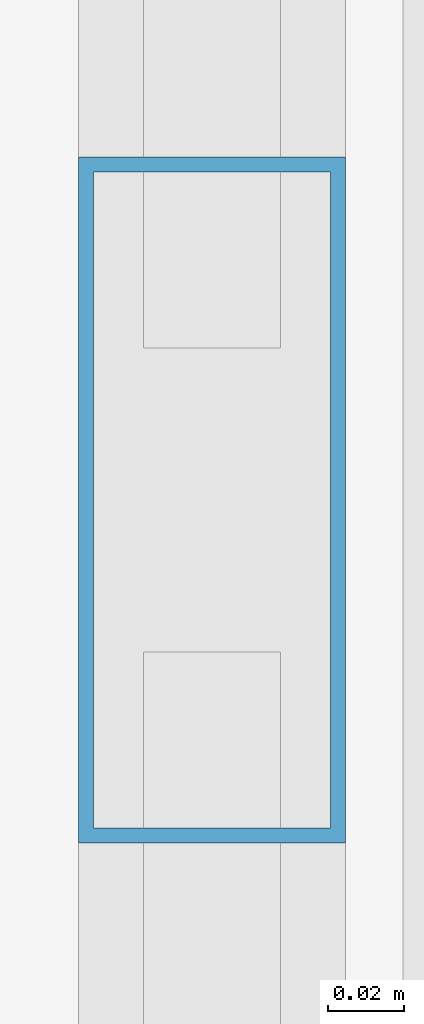
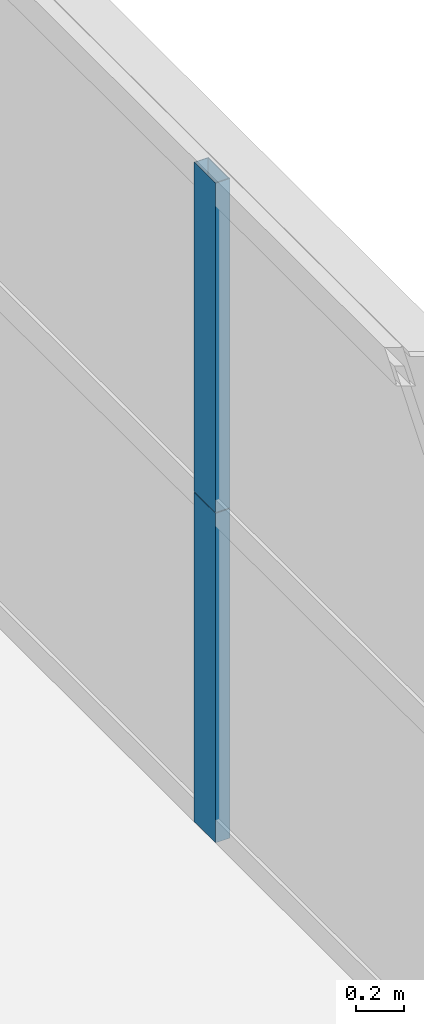
# One storey, part 19 of 43: 2 members, 1 element without a shape of its own.
"""IFC4 building model written with IfcOpenShell, lengths in metres."""

from ifc_helpers import new_model, si_unit, direction, frame, origin, origin_2d, place, context, subcontext, project, spatial, hollow_rectangle, extrude, source, transform, mapped, material, layer, layer_set, material_profile, profile_set, type_object, element, aggregate, save


model = new_model("IFC4")

# Units and contexts
model_context = context("Model", 3, precision=1e-05, world=origin(), true_north=direction((0.0, 1.0)))
body_context = subcontext(model_context, "Body", "Model", "MODEL_VIEW")
ifc_project = project(units=[si_unit("LENGTHUNIT", "METRE"), si_unit("AREAUNIT", "SQUARE_METRE"), si_unit("VOLUMEUNIT", "CUBIC_METRE"), si_unit("PLANEANGLEUNIT", "RADIAN"), si_unit("MASSUNIT", "GRAM", prefix="KILO"), si_unit("THERMODYNAMICTEMPERATUREUNIT", "KELVIN"), si_unit("POWERUNIT", "WATT")], contexts=[model_context])

# Site, building, storey
site_placement = place(None, origin())
site = spatial("IfcSite", under=ifc_project, at=site_placement, CompositionType="ELEMENT")
building_placement = place(site_placement, origin())
building = spatial("IfcBuilding", under=site, at=building_placement, Name="Yuzanri Waterfront Tower", CompositionType="ELEMENT")
storey_placement = place(building_placement, frame((0.0, 0.0, 53.199951171875)))
storey = spatial("IfcBuildingStorey", under=building, at=storey_placement, Name="L13", CompositionType="ELEMENT", Elevation=53.199951171875)

# Curtain wall, members
ifc_material_1 = material(Name="Anodized Architectural Bronze", Category="metal")
ifc_layer = layer(ifc_material_1, 0.159912109375)
ifc_layer_set = layer_set([ifc_layer], Name="Anodized Architectural Bronze")
curtain_wall_type = type_object("IfcCurtainWallType", Name="Anodized Bronze Hotel Lower-Tier Recessed Unitized Curtain Wall 8100", PredefinedType="NOTDEFINED", material=ifc_layer_set)
curtain_wall_placement = place(storey_placement, origin())
curtain_wall = element("IfcCurtainWall", 1, at=curtain_wall_placement, inside=storey, type_object=curtain_wall_type, Name="L13 Curtain Wall CW-L13-EL", PredefinedType="NOTDEFINED")
ifc_material_2 = material(Name="Anodized Architectural Bronze", Category="metal")
ifc_material_profile = material_profile(ifc_material_2, hollow_rectangle(XDim=0.070068359375, YDim=0.179931640625, WallThickness=0.00390625, at=origin_2d()), Name="CWM 70x180")
ifc_profile_set = profile_set([ifc_material_profile], Name="Anodized Architectural Bronze")
member_type = type_object("IfcMemberType", Name="Anodized Bronze Standard Curtain-Wall Mullion 70x180", PredefinedType="MULLION", material=ifc_profile_set)
shared_shape = source(origin(), body_context, "Body", "SweptSolid", [
    extrude(hollow_rectangle(XDim=0.070068359375, YDim=0.179931640625, WallThickness=0.00390625, at=origin_2d()), origin(), (0.0, 0.0, 1.0), 1.68798828125),
])
member_1_placement = place(storey_placement, frame((61.949951171875, 16.699951171875, 0.0), z_axis=(0.0, 0.0, 1.0), x_axis=(1.0, 0.0, 0.0)))
member_1 = element("IfcMember", 2, at=member_1_placement, type_object=member_type, Name="CW-L13-EL Lower Mullion 01", PredefinedType="MULLION", context=body_context, shape_type="MappedRepresentation", body=[
    mapped(shared_shape, transform((0.0, 0.0, 0.0), scale=1.0)),
])
member_2_placement = place(storey_placement, frame((61.949951171875, 16.699951171875, 1.692138671875), z_axis=(0.0, 0.0, 1.0), x_axis=(1.0, 0.0, 0.0)))
member_2 = element("IfcMember", 3, at=member_2_placement, type_object=member_type, Name="CW-L13-EL Upper Mullion 01", PredefinedType="MULLION", context=body_context, shape_type="MappedRepresentation", body=[
    mapped(shared_shape, transform((0.0, 0.0, 0.0), scale=1.0)),
])
aggregate(curtain_wall, [member_1, member_2])

save(model, "model.ifc")
